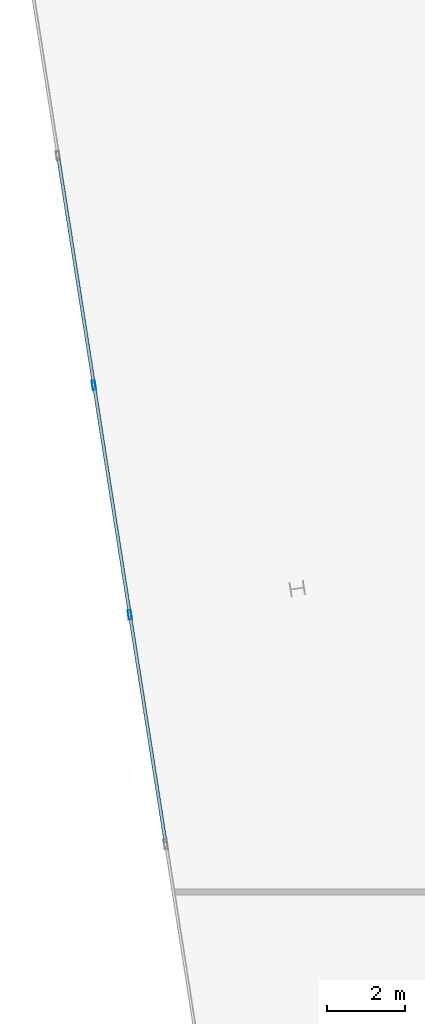
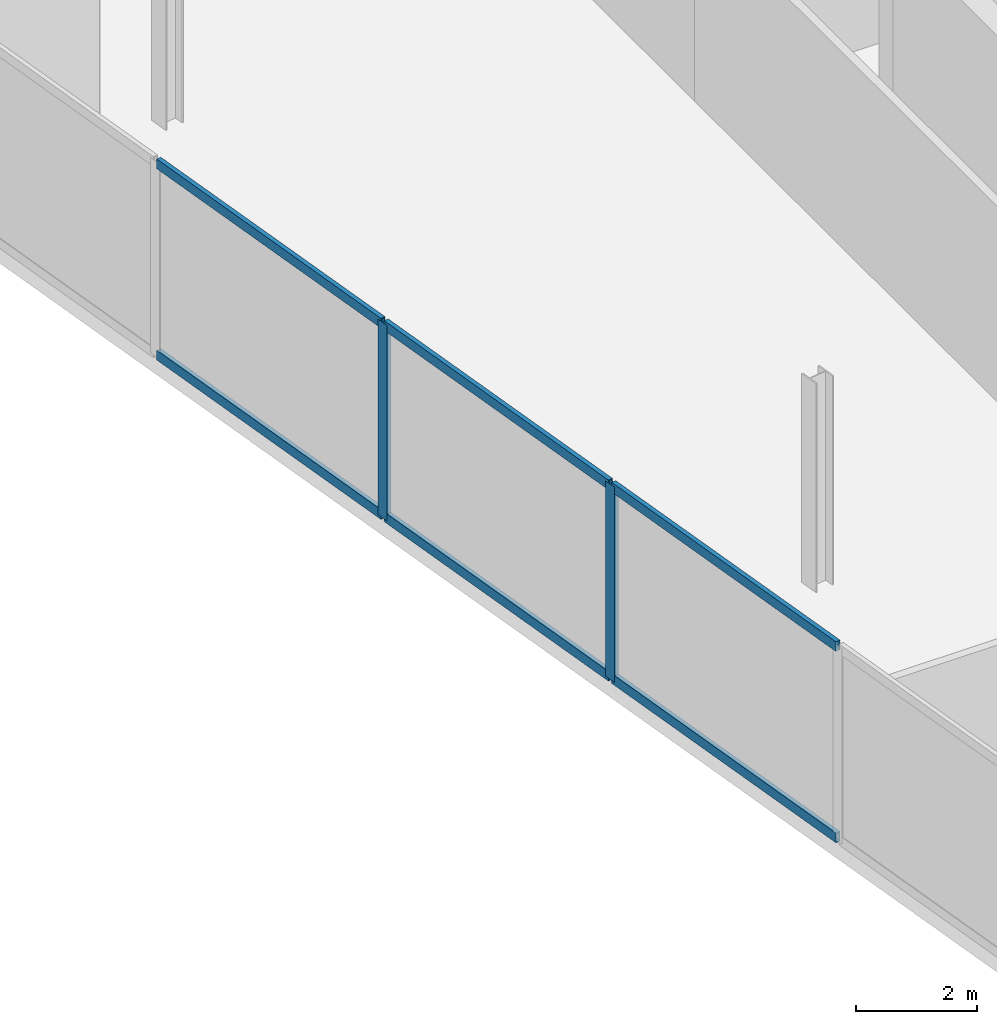
# One storey, part 4 of 13: 8 members, 1 element without a shape of its own.
"""IFC4 building model written with IfcOpenShell, lengths in metres."""

from ifc_helpers import new_model, si_unit, direction, frame, origin, origin_2d, place, context, subcontext, project, spatial, hollow_rectangle, extrude, material, material_profile, profile_set, type_object, element, aggregate, save


model = new_model("IFC4")

# Units and contexts
model_context = context("Model", 3, precision=1e-05, world=origin(), true_north=direction((0.0, 1.0)))
body_context = subcontext(model_context, "Body", "Model", "MODEL_VIEW")
ifc_project = project(units=[si_unit("LENGTHUNIT", "METRE"), si_unit("AREAUNIT", "SQUARE_METRE"), si_unit("VOLUMEUNIT", "CUBIC_METRE"), si_unit("PLANEANGLEUNIT", "RADIAN"), si_unit("MASSUNIT", "GRAM", prefix="KILO")], contexts=[model_context])

# Site, building, storey
site_placement = place(None, origin())
site = spatial("IfcSite", under=ifc_project, at=site_placement, CompositionType="ELEMENT")
building_placement = place(site_placement, origin())
building = spatial("IfcBuilding", under=site, at=building_placement, Name="Haldenkirk Collegiate Tower", CompositionType="ELEMENT")
storey_placement = place(building_placement, frame((0.0, 0.0, 356.39990234375)))
storey = spatial("IfcBuildingStorey", under=building, at=storey_placement, Name="L90", CompositionType="ELEMENT", Elevation=356.39990234375)

# Curtain wall, members
ifc_material = material(Name="Anodised architectural bronze aluminium", Category="aluminium")
curtain_wall_type = type_object("IfcCurtainWallType", Name="CW-SYS5-LANTERN", PredefinedType="USERDEFINED", material=ifc_material)
curtain_wall_placement = place(storey_placement, origin())
curtain_wall = element("IfcCurtainWall", 1, at=curtain_wall_placement, inside=storey, type_object=curtain_wall_type, Name="L90 Level L90 glazed crown lantern curtain wall", ObjectType="UNITISED CURTAIN WALL", PredefinedType="USERDEFINED")
ifc_material_profile_1 = material_profile(ifc_material, hollow_rectangle(XDim=0.0849609375, YDim=0.235107421875, WallThickness=0.0048828125, at=origin_2d()), Name="CW-MUL-05")
ifc_profile_set_1 = profile_set([ifc_material_profile_1], Name="Anodised architectural bronze aluminium")
member_type_1 = type_object("IfcMemberType", Name="CW-MUL-05", PredefinedType="MULLION", material=ifc_profile_set_1)
member_1_placement = place(storey_placement, frame((15.05517578125, 22.72021484375, 0.0), z_axis=(0.0, 0.0, 1.0), x_axis=(-0.987959532462, -0.154712514742, 0.0)))
member_1 = element("IfcMember", 2, at=member_1_placement, type_object=member_type_1, Name="CW-05 mullion 4", PredefinedType="MULLION", context=body_context, shape_type="SweptSolid", body=[
    extrude(hollow_rectangle(XDim=0.0849609375, YDim=0.235107421875, WallThickness=0.0048828125, at=origin_2d()), origin(), (0.0, 0.0, 1.0), 3.93017578125),
])
member_2_placement = place(storey_placement, frame((14.132080078125, 28.614990234375, 0.0), z_axis=(0.0, 0.0, 1.0), x_axis=(-0.987959532462, -0.154712514742, 0.0)))
member_2 = element("IfcMember", 3, at=member_2_placement, type_object=member_type_1, Name="CW-05 mullion 5", PredefinedType="MULLION", context=body_context, shape_type="SweptSolid", body=[
    extrude(hollow_rectangle(XDim=0.0849609375, YDim=0.235107421875, WallThickness=0.0048828125, at=origin_2d()), origin(), (0.0, 0.0, 1.0), 3.93017578125),
])
ifc_material_profile_2 = material_profile(ifc_material, hollow_rectangle(XDim=0.0849609375, YDim=0.195068359375, WallThickness=0.0048828125, at=origin_2d()), Name="CW-TRN-05")
ifc_profile_set_2 = profile_set([ifc_material_profile_2], Name="Anodised architectural bronze aluminium")
member_type_2 = type_object("IfcMemberType", Name="CW-TRN-05", PredefinedType="USERDEFINED", material=ifc_profile_set_2)
member_3_placement = place(storey_placement, frame((15.9716796875, 16.867431640625, 0.04248046875), z_axis=(-0.154704830151, 0.987960735823, 0.0), x_axis=(-0.987960735823, -0.154704830151, 0.0)))
member_3 = element("IfcMember", 4, at=member_3_placement, type_object=member_type_2, Name="CW-05 transom 3.1", ObjectType="TRANSOM", PredefinedType="USERDEFINED", context=body_context, shape_type="SweptSolid", body=[
    extrude(hollow_rectangle(XDim=0.0849609375, YDim=0.195068359375, WallThickness=0.0048828125, at=origin_2d()), origin(), (0.0, 0.0, 1.0), 5.881591796875),
])
member_4_placement = place(storey_placement, frame((15.9716796875, 16.867431640625, 3.8876953125), z_axis=(-0.154704830151, 0.987960735823, 0.0), x_axis=(-0.987960735823, -0.154704830151, 0.0)))
member_4 = element("IfcMember", 5, at=member_4_placement, type_object=member_type_2, Name="CW-05 transom 3.2", ObjectType="TRANSOM", PredefinedType="USERDEFINED", context=body_context, shape_type="SweptSolid", body=[
    extrude(hollow_rectangle(XDim=0.0849609375, YDim=0.195068359375, WallThickness=0.0048828125, at=origin_2d()), origin(), (0.0, 0.0, 1.0), 5.881591796875),
])
member_5_placement = place(storey_placement, frame((15.048583984375, 22.76220703125, 0.04248046875), z_axis=(-0.154704830151, 0.987960735823, 0.0), x_axis=(-0.987960735823, -0.154704830151, 0.0)))
member_5 = element("IfcMember", 6, at=member_5_placement, type_object=member_type_2, Name="CW-05 transom 4.1", ObjectType="TRANSOM", PredefinedType="USERDEFINED", context=body_context, shape_type="SweptSolid", body=[
    extrude(hollow_rectangle(XDim=0.0849609375, YDim=0.195068359375, WallThickness=0.0048828125, at=origin_2d()), origin(), (0.0, 0.0, 1.0), 5.881591796875),
])
member_6_placement = place(storey_placement, frame((15.048583984375, 22.76220703125, 3.8876953125), z_axis=(-0.154704830151, 0.987960735823, 0.0), x_axis=(-0.987960735823, -0.154704830151, 0.0)))
member_6 = element("IfcMember", 7, at=member_6_placement, type_object=member_type_2, Name="CW-05 transom 4.2", ObjectType="TRANSOM", PredefinedType="USERDEFINED", context=body_context, shape_type="SweptSolid", body=[
    extrude(hollow_rectangle(XDim=0.0849609375, YDim=0.195068359375, WallThickness=0.0048828125, at=origin_2d()), origin(), (0.0, 0.0, 1.0), 5.881591796875),
])
member_7_placement = place(storey_placement, frame((14.12548828125, 28.656982421875, 0.04248046875), z_axis=(-0.154704830151, 0.987960735823, 0.0), x_axis=(-0.987960735823, -0.154704830151, 0.0)))
member_7 = element("IfcMember", 8, at=member_7_placement, type_object=member_type_2, Name="CW-05 transom 5.1", ObjectType="TRANSOM", PredefinedType="USERDEFINED", context=body_context, shape_type="SweptSolid", body=[
    extrude(hollow_rectangle(XDim=0.0849609375, YDim=0.195068359375, WallThickness=0.0048828125, at=origin_2d()), origin(), (0.0, 0.0, 1.0), 5.881591796875),
])
member_8_placement = place(storey_placement, frame((14.12548828125, 28.656982421875, 3.8876953125), z_axis=(-0.154704830151, 0.987960735823, 0.0), x_axis=(-0.987960735823, -0.154704830151, 0.0)))
member_8 = element("IfcMember", 9, at=member_8_placement, type_object=member_type_2, Name="CW-05 transom 5.2", ObjectType="TRANSOM", PredefinedType="USERDEFINED", context=body_context, shape_type="SweptSolid", body=[
    extrude(hollow_rectangle(XDim=0.0849609375, YDim=0.195068359375, WallThickness=0.0048828125, at=origin_2d()), origin(), (0.0, 0.0, 1.0), 5.881591796875),
])
aggregate(curtain_wall, [member_1, member_2, member_3, member_4, member_5, member_6, member_7, member_8])

save(model, "model.ifc")
